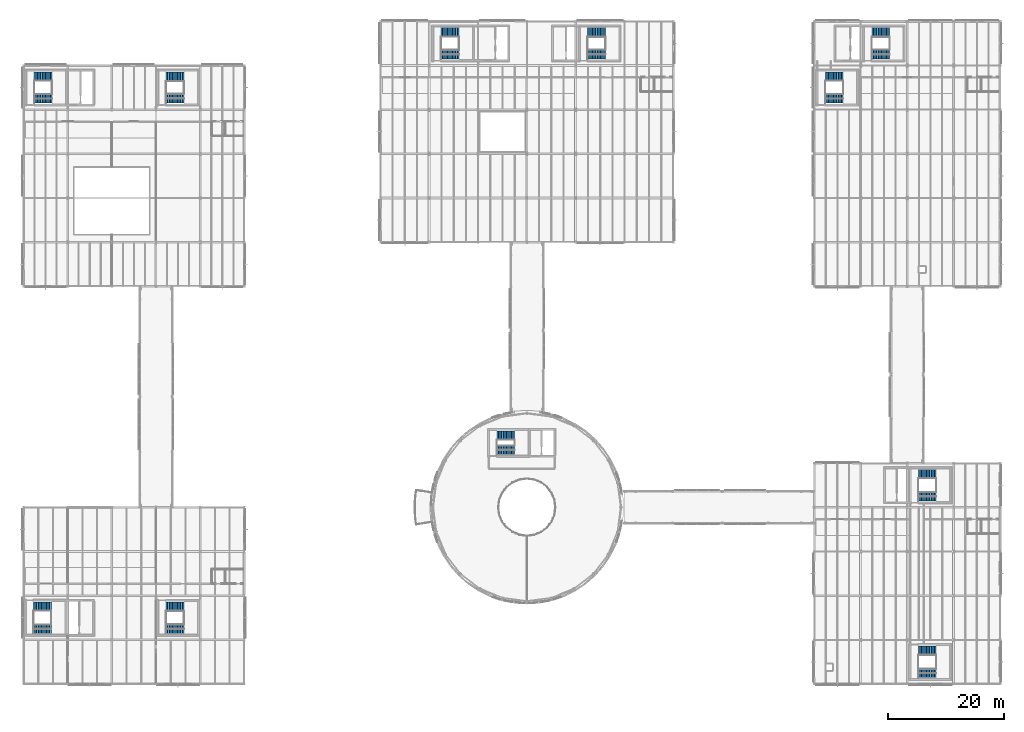
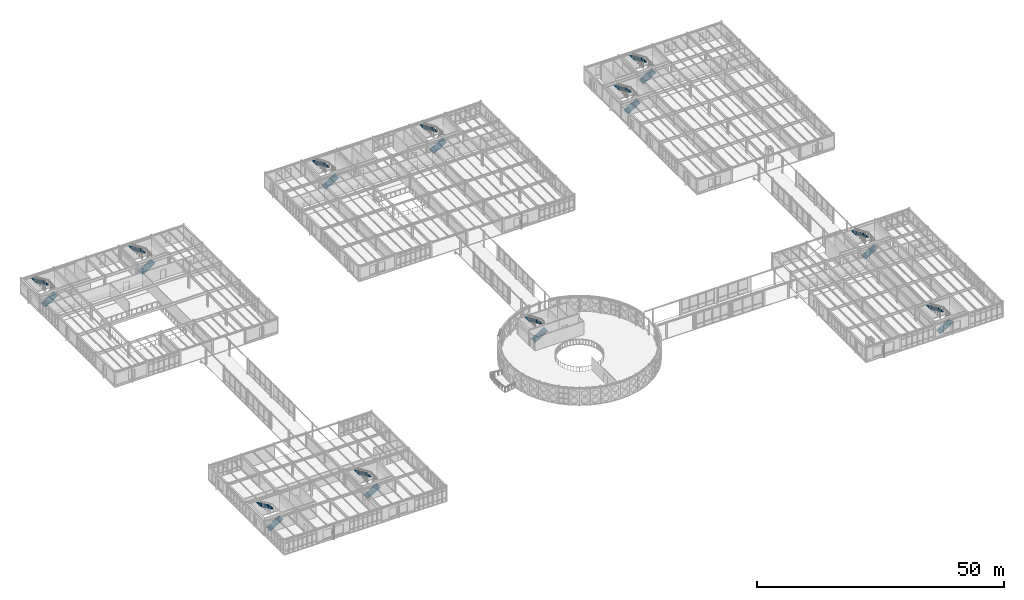
# One storey, part 145 of 165: 22 stair flights, 11 elements without a shape of their own.
"""IFC4 building model written with IfcOpenShell, lengths in metres."""

import ifcopenshell
import ifcopenshell.guid

model = None  # the IFC model being written
_history = None  # IfcOwnerHistory: only IFC2X3 demands one
_inside = {}  # id of a spatial element -> (the spatial element, [elements in it])
_under = {}  # id of a project, library or spatial element -> (it, [spatial elements below it])
_declared = {}  # id of a project -> (the project, [libraries it declares])
_typed = {}  # id of a type object -> (the type object, [elements of that type])
_made_of = {}  # id of a material, layer set ... -> (it, [elements and type objects made of it])


def new_model(schema):
    """Start an empty IFC model of exactly this schema.

    Asked for "IFC4X3", IfcOpenShell would pick the latest addendum, in which some entities
    have other attributes; the version numbers below select the first issue.
    IFC2X3 requires an IfcOwnerHistory on every rooted entity: one is made here for all.
    """
    global model, _history
    if schema == "IFC4X3":
        model = ifcopenshell.file(schema_version=(4, 3, 0, 0))
    else:
        model = ifcopenshell.file(schema=schema)
    _inside.clear()
    _under.clear()
    _declared.clear()
    _typed.clear()
    _made_of.clear()
    _history = None
    if model.schema == "IFC2X3":
        org = make("IfcOrganization", Name="unknown")
        user = make(
            "IfcPersonAndOrganization",
            ThePerson=make("IfcPerson", FamilyName="unknown"),
            TheOrganization=org,
        )
        app = make(
            "IfcApplication",
            ApplicationDeveloper=org,
            Version="unknown",
            ApplicationFullName="unknown",
            ApplicationIdentifier="unknown",
        )
        _history = make(
            "IfcOwnerHistory",
            OwningUser=user,
            OwningApplication=app,
            ChangeAction="ADDED",
            CreationDate=0,
        )
    return model


def make(cls, **values):
    """One entity of the class cls with the attributes given. An attribute that is None is left unset."""
    return model.create_entity(
        cls, **{name: value for name, value in values.items() if value is not None}
    )


def rooted(cls, **values):
    """An entity with a GlobalId (a new one), such as an element, a storey or a relation."""
    return make(cls, GlobalId=ifcopenshell.guid.new(), OwnerHistory=_history, **values)


def si_unit(unit_type, name, prefix=None):
    """IfcSIUnit, for example si_unit("LENGTHUNIT", "METRE", prefix="MILLI")."""
    return make("IfcSIUnit", UnitType=unit_type, Prefix=prefix, Name=name)


def assignment(units):
    """IfcUnitAssignment: the units of a project."""
    return None if units is None else make("IfcUnitAssignment", Units=units)


def point(xyz):
    """IfcCartesianPoint."""
    return None if xyz is None else make("IfcCartesianPoint", Coordinates=xyz)


def direction(xyz):
    """IfcDirection."""
    return None if xyz is None else make("IfcDirection", DirectionRatios=xyz)


def frame(location, z_axis=None, x_axis=None):
    """IfcAxis2Placement3D, a coordinate frame: its origin and axes. An axis left out is left unset."""
    return make(
        "IfcAxis2Placement3D",
        Location=point(location),
        Axis=direction(z_axis),
        RefDirection=direction(x_axis),
    )


def origin():
    """The frame at (0, 0, 0) with its axes left unset."""
    return frame((0.0, 0.0, 0.0))


def place(relative_to, where):
    """IfcLocalPlacement: puts the frame where relative to a parent placement (None: the world)."""
    return make(
        "IfcLocalPlacement", PlacementRelTo=relative_to, RelativePlacement=where
    )


def context(
    kind, dimensions, precision=None, world=None, true_north=None, identifier=None
):
    """IfcGeometricRepresentationContext, for example the 3D "Model" context."""
    return make(
        "IfcGeometricRepresentationContext",
        ContextIdentifier=identifier,
        ContextType=kind,
        CoordinateSpaceDimension=dimensions,
        Precision=precision,
        WorldCoordinateSystem=world,
        TrueNorth=true_north,
    )


def subcontext(parent, identifier, kind, view, scale=None):
    """IfcGeometricRepresentationSubContext, for example "Body" below "Model"."""
    return make(
        "IfcGeometricRepresentationSubContext",
        ContextIdentifier=identifier,
        ContextType=kind,
        ParentContext=parent,
        TargetScale=scale,
        TargetView=view,
    )


def project(units=None, contexts=None):
    """IfcProject with its units and contexts."""
    return rooted(
        "IfcProject",
        Name="project",
        RepresentationContexts=contexts,
        UnitsInContext=assignment(units),
    )


def spatial(cls, under=None, at=None, **own):
    """A site, building, storey or space (cls), placed at a placement, below another one or the project."""
    s = rooted(cls, ObjectPlacement=at, **own)
    if under is not None:
        _under.setdefault(under.id(), (under, []))[1].append(s)
    return s


def polyline(points):
    """IfcPolyline through the points."""
    return make("IfcPolyline", Points=[point(p) for p in points])


def outline(outer, holes=None, kind="AREA"):
    """IfcArbitraryClosedProfileDef: a profile drawn as a closed curve; with holes, ...WithVoids."""
    if holes is None:
        return make("IfcArbitraryClosedProfileDef", ProfileType=kind, OuterCurve=outer)
    return make(
        "IfcArbitraryProfileDefWithVoids",
        ProfileType=kind,
        OuterCurve=outer,
        InnerCurves=holes,
    )


def extrude(swept, where, along, depth):
    """IfcExtrudedAreaSolid: the profile swept, set in the frame where, extruded along a direction by depth."""
    return make(
        "IfcExtrudedAreaSolid",
        SweptArea=swept,
        Position=where,
        ExtrudedDirection=direction(along),
        Depth=depth,
    )


def shape(context_of_items, identifier, shape_type, items):
    """IfcShapeRepresentation: the items that make up one representation, for example the "Body"."""
    return make(
        "IfcShapeRepresentation",
        ContextOfItems=context_of_items,
        RepresentationIdentifier=identifier,
        RepresentationType=shape_type,
        Items=items,
    )


def material(Name=None, Category=None):
    """IfcMaterial."""
    return make("IfcMaterial", Name=Name, Category=Category)


def made_of(thing, what):
    """Note that an element or type object is made of a material, layer set ...; save() writes the relation."""
    if what is not None:
        _made_of.setdefault(what.id(), (what, []))[1].append(thing)
    return thing


def type_object(cls, material=None, **own):
    """A type object (cls), such as IfcWallType, which elements share."""
    return made_of(rooted(cls, **own), material)


def element(
    cls,
    number,
    at=None,
    inside=None,
    cuts=None,
    type_object=None,
    material=None,
    context=None,
    identifier="Body",
    shape_type=None,
    held_by="IfcProductDefinitionShape",
    body=None,
    shapes=None,
    **own,
):
    """One element of the class cls, such as IfcWall. Its Tag is "e" and its number.

    at: its placement. inside: the storey or other place that contains it. cuts: it is an
    opening in that element (IfcRelVoidsElement). A single representation is given by context,
    identifier, shape_type and body (its items); several are given by shapes. held_by: the class
    of the entity that holds the representations. save() writes the other relations.
    """
    e = rooted(cls, Tag="e%d" % number, ObjectPlacement=at, **own)
    if body is not None:
        shapes = [shape(context, identifier, shape_type, body)]
    if shapes is not None:
        e.Representation = make(held_by, Representations=shapes)
    if inside is not None:
        _inside.setdefault(inside.id(), (inside, []))[1].append(e)
    if cuts is not None:
        rooted(
            "IfcRelVoidsElement", RelatingBuildingElement=cuts, RelatedOpeningElement=e
        )
    if type_object is not None:
        _typed.setdefault(type_object.id(), (type_object, []))[1].append(e)
    return made_of(e, material)


def aggregate(whole, parts):
    """IfcRelAggregates: a whole, such as a stair, and the parts it consists of."""
    return rooted("IfcRelAggregates", RelatingObject=whole, RelatedObjects=parts)


def save(model, path):
    """Write the relations noted so far, then the file.

    IfcRelAggregates (storeys below a building ...), IfcRelContainedInSpatialStructure (elements
    in a storey), IfcRelDefinesByType, IfcRelAssociatesMaterial and IfcRelDeclares: one each for
    every whole, place, type object, material and project.
    """
    for whole, parts in _under.values():
        aggregate(whole, parts)
    for where, things in _inside.values():
        rooted(
            "IfcRelContainedInSpatialStructure",
            RelatedElements=things,
            RelatingStructure=where,
        )
    for kind, things in _typed.values():
        rooted("IfcRelDefinesByType", RelatedObjects=things, RelatingType=kind)
    for what, things in _made_of.values():
        rooted("IfcRelAssociatesMaterial", RelatedObjects=things, RelatingMaterial=what)
    for by, libraries in _declared.values():
        rooted("IfcRelDeclares", RelatingContext=by, RelatedDefinitions=libraries)
    model.write(path)


model = new_model("IFC4")

# Units and contexts
model_context = context("Model", 3, precision=1e-05, world=origin(), true_north=direction((0.0, 1.0)))
body_context = subcontext(model_context, "Body", "Model", "MODEL_VIEW")
ifc_project = project(units=[si_unit("LENGTHUNIT", "METRE"), si_unit("AREAUNIT", "SQUARE_METRE"), si_unit("VOLUMEUNIT", "CUBIC_METRE"), si_unit("PLANEANGLEUNIT", "RADIAN"), si_unit("MASSUNIT", "GRAM", prefix="KILO")], contexts=[model_context])

# Site, building, storey
site_placement = place(None, origin())
site = spatial("IfcSite", under=ifc_project, at=site_placement, CompositionType="ELEMENT")
building_placement = place(site_placement, origin())
building = spatial("IfcBuilding", under=site, at=building_placement, Name="Montecoro Central Library", CompositionType="ELEMENT")
storey_placement = place(building_placement, frame((0.0, 0.0, 5.10009765625)))
storey = spatial("IfcBuildingStorey", under=building, at=storey_placement, Name="L01", CompositionType="ELEMENT", Elevation=5.10009765625)

# Stair, stair flights
ifc_material = material(Name="Concrete C35/45", Category="concrete")
stair_type_1 = type_object("IfcStairType", Name="STR-RET-150", PredefinedType="HALF_TURN_STAIR", material=ifc_material)
stair_1_placement = place(storey_placement, origin())
stair_1 = element("IfcStair", 1, at=stair_1_placement, inside=storey, type_object=stair_type_1, Name="C1-L01-STR", PredefinedType="HALF_TURN_STAIR")
stair_flight_type_1 = type_object("IfcStairFlightType", Name="SFL-01", PredefinedType="STRAIGHT", material=ifc_material)
stair_flight_1_placement = place(storey_placement, frame((86.419921875, 45.25, 0.0), z_axis=(0.0, 0.0, 1.0), x_axis=(1.0, 0.0, 0.0)))
stair_flight_1 = element("IfcStairFlight", 2, at=stair_flight_1_placement, type_object=stair_flight_type_1, Name="ST-01 flight 1", NumberOfRisers=12, NumberOfTreads=11, PredefinedType="STRAIGHT", RiserHeight=0.17, TreadLength=0.28, context=body_context, shape_type="SweptSolid", body=[
    extrude(outline(polyline([(0.0, 0.0), (0.0, 0.169921875), (0.280029296875, 0.169921875), (0.280029296875, 0.340087890625), (0.56005859375, 0.340087890625), (0.56005859375, 0.510009765625), (0.840087890625, 0.510009765625), (0.840087890625, 0.679931640625), (1.1201171875, 0.679931640625), (1.1201171875, 0.85009765625), (1.39990234375, 0.85009765625), (1.39990234375, 1.02001953125), (1.679931640625, 1.02001953125), (1.679931640625, 1.18994140625), (1.9599609375, 1.18994140625), (1.9599609375, 1.360107421875), (2.239990234375, 1.360107421875), (2.239990234375, 1.530029296875), (2.52001953125, 1.530029296875), (2.52001953125, 1.699951171875), (2.800048828125, 1.699951171875), (2.800048828125, 1.8701171875), (3.080078125, 1.8701171875), (3.080078125, 2.0400390625), (3.080078125, 1.682861328125), (0.30810546875, 0.0), (0.0, 0.0)])), frame((0.0, 0.75, 0.0), z_axis=(0.0, -1.0, 0.0), x_axis=(1.0, 0.0, 0.0)), (0.0, 0.0, 1.0), 1.5),
])
stair_flight_2_placement = place(storey_placement, frame((89.5, 47.75, 2.039794921875), z_axis=(0.0, 0.0, 1.0), x_axis=(-1.0, 0.0, 0.0)))
stair_flight_2 = element("IfcStairFlight", 3, at=stair_flight_2_placement, type_object=stair_flight_type_1, Name="ST-01 flight 2", NumberOfRisers=12, NumberOfTreads=11, PredefinedType="STRAIGHT", RiserHeight=0.17, TreadLength=0.28, context=body_context, shape_type="SweptSolid", body=[
    extrude(outline(polyline([(0.0, 0.0), (0.0, 0.169921875), (0.280029296875, 0.169921875), (0.280029296875, 0.340087890625), (0.56005859375, 0.340087890625), (0.56005859375, 0.510009765625), (0.840087890625, 0.510009765625), (0.840087890625, 0.679931640625), (1.1201171875, 0.679931640625), (1.1201171875, 0.85009765625), (1.39990234375, 0.85009765625), (1.39990234375, 1.02001953125), (1.679931640625, 1.02001953125), (1.679931640625, 1.18994140625), (1.9599609375, 1.18994140625), (1.9599609375, 1.360107421875), (2.239990234375, 1.360107421875), (2.239990234375, 1.530029296875), (2.52001953125, 1.530029296875), (2.52001953125, 1.699951171875), (2.800048828125, 1.699951171875), (2.800048828125, 1.8701171875), (3.080078125, 1.8701171875), (3.080078125, 2.0400390625), (3.080078125, 1.682861328125), (0.30810546875, 0.0), (0.0, 0.0)])), frame((0.0, 0.75, 0.0), z_axis=(0.0, -1.0, 0.0), x_axis=(1.0, 0.0, 0.0)), (0.0, 0.0, 1.0), 1.5),
])
aggregate(stair_1, [stair_flight_1, stair_flight_2])

stair_2_placement = place(storey_placement, origin())
stair_2 = element("IfcStair", 4, at=stair_2_placement, inside=storey, type_object=stair_type_1, Name="C4-L01-STR", PredefinedType="HALF_TURN_STAIR")
stair_flight_3_placement = place(storey_placement, frame((6.719970703125, 14.449951171875, 0.0), z_axis=(0.0, 0.0, 1.0), x_axis=(1.0, 0.0, 0.0)))
stair_flight_3 = element("IfcStairFlight", 5, at=stair_flight_3_placement, type_object=stair_flight_type_1, Name="ST-04 flight 1", NumberOfRisers=12, NumberOfTreads=11, PredefinedType="STRAIGHT", RiserHeight=0.17, TreadLength=0.28, context=body_context, shape_type="SweptSolid", body=[
    extrude(outline(polyline([(0.0, 0.0), (0.0, 0.169921875), (0.280029296875, 0.169921875), (0.280029296875, 0.340087890625), (0.56005859375, 0.340087890625), (0.56005859375, 0.510009765625), (0.840087890625, 0.510009765625), (0.840087890625, 0.679931640625), (1.1201171875, 0.679931640625), (1.1201171875, 0.85009765625), (1.39990234375, 0.85009765625), (1.39990234375, 1.02001953125), (1.679931640625, 1.02001953125), (1.679931640625, 1.18994140625), (1.9599609375, 1.18994140625), (1.9599609375, 1.360107421875), (2.239990234375, 1.360107421875), (2.239990234375, 1.530029296875), (2.52001953125, 1.530029296875), (2.52001953125, 1.699951171875), (2.800048828125, 1.699951171875), (2.800048828125, 1.8701171875), (3.080078125, 1.8701171875), (3.080078125, 2.0400390625), (3.080078125, 1.682861328125), (0.30810546875, 0.0), (0.0, 0.0)])), frame((0.0, 0.75, 0.0), z_axis=(0.0, -1.0, 0.0), x_axis=(1.0, 0.0, 0.0)), (0.0, 0.0, 1.0), 1.5),
])
stair_flight_4_placement = place(storey_placement, frame((9.800048828125, 18.35009765625, 2.039794921875), z_axis=(0.0, 0.0, 1.0), x_axis=(-1.0, 0.0, 0.0)))
stair_flight_4 = element("IfcStairFlight", 6, at=stair_flight_4_placement, type_object=stair_flight_type_1, Name="ST-04 flight 2", NumberOfRisers=12, NumberOfTreads=11, PredefinedType="STRAIGHT", RiserHeight=0.17, TreadLength=0.28, context=body_context, shape_type="SweptSolid", body=[
    extrude(outline(polyline([(0.0, 0.0), (0.0, 0.169921875), (0.280029296875, 0.169921875), (0.280029296875, 0.340087890625), (0.56005859375, 0.340087890625), (0.56005859375, 0.510009765625), (0.840087890625, 0.510009765625), (0.840087890625, 0.679931640625), (1.1201171875, 0.679931640625), (1.1201171875, 0.85009765625), (1.39990234375, 0.85009765625), (1.39990234375, 1.02001953125), (1.679931640625, 1.02001953125), (1.679931640625, 1.18994140625), (1.9599609375, 1.18994140625), (1.9599609375, 1.360107421875), (2.239990234375, 1.360107421875), (2.239990234375, 1.530029296875), (2.52001953125, 1.530029296875), (2.52001953125, 1.699951171875), (2.800048828125, 1.699951171875), (2.800048828125, 1.8701171875), (3.080078125, 1.8701171875), (3.080078125, 2.0400390625), (3.080078125, 1.682861328125), (0.30810546875, 0.0), (0.0, 0.0)])), frame((0.0, 0.75, 0.0), z_axis=(0.0, -1.0, 0.0), x_axis=(1.0, 0.0, 0.0)), (0.0, 0.0, 1.0), 1.5),
])
aggregate(stair_2, [stair_flight_3, stair_flight_4])

stair_3_placement = place(storey_placement, origin())
stair_3 = element("IfcStair", 7, at=stair_3_placement, inside=storey, type_object=stair_type_1, Name="C7-L01-STR", PredefinedType="HALF_TURN_STAIR")
stair_flight_5_placement = place(storey_placement, frame((158.919921875, 37.25, 0.0), z_axis=(0.0, 0.0, 1.0), x_axis=(1.0, 0.0, 0.0)))
stair_flight_5 = element("IfcStairFlight", 8, at=stair_flight_5_placement, type_object=stair_flight_type_1, Name="ST-07 flight 1", NumberOfRisers=12, NumberOfTreads=11, PredefinedType="STRAIGHT", RiserHeight=0.17, TreadLength=0.28, context=body_context, shape_type="SweptSolid", body=[
    extrude(outline(polyline([(0.0, 0.0), (0.0, 0.169921875), (0.280029296875, 0.169921875), (0.280029296875, 0.340087890625), (0.56005859375, 0.340087890625), (0.56005859375, 0.510009765625), (0.840087890625, 0.510009765625), (0.840087890625, 0.679931640625), (1.1201171875, 0.679931640625), (1.1201171875, 0.85009765625), (1.39990234375, 0.85009765625), (1.39990234375, 1.02001953125), (1.679931640625, 1.02001953125), (1.679931640625, 1.18994140625), (1.9599609375, 1.18994140625), (1.9599609375, 1.360107421875), (2.239990234375, 1.360107421875), (2.239990234375, 1.530029296875), (2.52001953125, 1.530029296875), (2.52001953125, 1.699951171875), (2.800048828125, 1.699951171875), (2.800048828125, 1.8701171875), (3.080078125, 1.8701171875), (3.080078125, 2.0400390625), (3.080078125, 1.682861328125), (0.30810546875, 0.0), (0.0, 0.0)])), frame((0.0, 0.75, 0.0), z_axis=(0.0, -1.0, 0.0), x_axis=(1.0, 0.0, 0.0)), (0.0, 0.0, 1.0), 1.5),
])
stair_flight_6_placement = place(storey_placement, frame((162.0, 41.14990234375, 2.039794921875), z_axis=(0.0, 0.0, 1.0), x_axis=(-1.0, 0.0, 0.0)))
stair_flight_6 = element("IfcStairFlight", 9, at=stair_flight_6_placement, type_object=stair_flight_type_1, Name="ST-07 flight 2", NumberOfRisers=12, NumberOfTreads=11, PredefinedType="STRAIGHT", RiserHeight=0.17, TreadLength=0.28, context=body_context, shape_type="SweptSolid", body=[
    extrude(outline(polyline([(0.0, 0.0), (0.0, 0.169921875), (0.280029296875, 0.169921875), (0.280029296875, 0.340087890625), (0.56005859375, 0.340087890625), (0.56005859375, 0.510009765625), (0.840087890625, 0.510009765625), (0.840087890625, 0.679931640625), (1.1201171875, 0.679931640625), (1.1201171875, 0.85009765625), (1.39990234375, 0.85009765625), (1.39990234375, 1.02001953125), (1.679931640625, 1.02001953125), (1.679931640625, 1.18994140625), (1.9599609375, 1.18994140625), (1.9599609375, 1.360107421875), (2.239990234375, 1.360107421875), (2.239990234375, 1.530029296875), (2.52001953125, 1.530029296875), (2.52001953125, 1.699951171875), (2.800048828125, 1.699951171875), (2.800048828125, 1.8701171875), (3.080078125, 1.8701171875), (3.080078125, 2.0400390625), (3.080078125, 1.682861328125), (0.30810546875, 0.0), (0.0, 0.0)])), frame((0.0, 0.75, 0.0), z_axis=(0.0, -1.0, 0.0), x_axis=(1.0, 0.0, 0.0)), (0.0, 0.0, 1.0), 1.5),
])
aggregate(stair_3, [stair_flight_5, stair_flight_6])

stair_4_placement = place(storey_placement, origin())
stair_4 = element("IfcStair", 10, at=stair_4_placement, inside=storey, type_object=stair_type_1, Name="C10-L01-STR", PredefinedType="HALF_TURN_STAIR")
stair_flight_7_placement = place(storey_placement, frame((158.919921875, 6.85009765625, 0.0), z_axis=(0.0, 0.0, 1.0), x_axis=(1.0, 0.0, 0.0)))
stair_flight_7 = element("IfcStairFlight", 11, at=stair_flight_7_placement, type_object=stair_flight_type_1, Name="ST-10 flight 1", NumberOfRisers=12, NumberOfTreads=11, PredefinedType="STRAIGHT", RiserHeight=0.17, TreadLength=0.28, context=body_context, shape_type="SweptSolid", body=[
    extrude(outline(polyline([(0.0, 0.0), (0.0, 0.169921875), (0.280029296875, 0.169921875), (0.280029296875, 0.340087890625), (0.56005859375, 0.340087890625), (0.56005859375, 0.510009765625), (0.840087890625, 0.510009765625), (0.840087890625, 0.679931640625), (1.1201171875, 0.679931640625), (1.1201171875, 0.85009765625), (1.39990234375, 0.85009765625), (1.39990234375, 1.02001953125), (1.679931640625, 1.02001953125), (1.679931640625, 1.18994140625), (1.9599609375, 1.18994140625), (1.9599609375, 1.360107421875), (2.239990234375, 1.360107421875), (2.239990234375, 1.530029296875), (2.52001953125, 1.530029296875), (2.52001953125, 1.699951171875), (2.800048828125, 1.699951171875), (2.800048828125, 1.8701171875), (3.080078125, 1.8701171875), (3.080078125, 2.0400390625), (3.080078125, 1.682861328125), (0.30810546875, 0.0), (0.0, 0.0)])), frame((0.0, 0.75, 0.0), z_axis=(0.0, -1.0, 0.0), x_axis=(1.0, 0.0, 0.0)), (0.0, 0.0, 1.0), 1.5),
])
stair_flight_8_placement = place(storey_placement, frame((162.0, 10.75, 2.039794921875), z_axis=(0.0, 0.0, 1.0), x_axis=(-1.0, 0.0, 0.0)))
stair_flight_8 = element("IfcStairFlight", 12, at=stair_flight_8_placement, type_object=stair_flight_type_1, Name="ST-10 flight 2", NumberOfRisers=12, NumberOfTreads=11, PredefinedType="STRAIGHT", RiserHeight=0.17, TreadLength=0.28, context=body_context, shape_type="SweptSolid", body=[
    extrude(outline(polyline([(0.0, 0.0), (0.0, 0.169921875), (0.280029296875, 0.169921875), (0.280029296875, 0.340087890625), (0.56005859375, 0.340087890625), (0.56005859375, 0.510009765625), (0.840087890625, 0.510009765625), (0.840087890625, 0.679931640625), (1.1201171875, 0.679931640625), (1.1201171875, 0.85009765625), (1.39990234375, 0.85009765625), (1.39990234375, 1.02001953125), (1.679931640625, 1.02001953125), (1.679931640625, 1.18994140625), (1.9599609375, 1.18994140625), (1.9599609375, 1.360107421875), (2.239990234375, 1.360107421875), (2.239990234375, 1.530029296875), (2.52001953125, 1.530029296875), (2.52001953125, 1.699951171875), (2.800048828125, 1.699951171875), (2.800048828125, 1.8701171875), (3.080078125, 1.8701171875), (3.080078125, 2.0400390625), (3.080078125, 1.682861328125), (0.30810546875, 0.0), (0.0, 0.0)])), frame((0.0, 0.75, 0.0), z_axis=(0.0, -1.0, 0.0), x_axis=(1.0, 0.0, 0.0)), (0.0, 0.0, 1.0), 1.5),
])
aggregate(stair_4, [stair_flight_7, stair_flight_8])

stair_type_2 = type_object("IfcStairType", Name="STR-RET-155", PredefinedType="HALF_TURN_STAIR", material=ifc_material)
stair_5_placement = place(storey_placement, origin())
stair_5 = element("IfcStair", 13, at=stair_5_placement, inside=storey, type_object=stair_type_2, Name="C2-L01-STR", PredefinedType="HALF_TURN_STAIR")
stair_flight_type_2 = type_object("IfcStairFlightType", Name="SFL-02", PredefinedType="STRAIGHT", material=ifc_material)
stair_flight_9_placement = place(storey_placement, frame((76.820068359375, 113.27490234375, 0.0), z_axis=(0.0, 0.0, 1.0), x_axis=(1.0, 0.0, 0.0)))
stair_flight_9 = element("IfcStairFlight", 14, at=stair_flight_9_placement, type_object=stair_flight_type_2, Name="ST-02 flight 1", NumberOfRisers=12, NumberOfTreads=11, PredefinedType="STRAIGHT", RiserHeight=0.17, TreadLength=0.28, context=body_context, shape_type="SweptSolid", body=[
    extrude(outline(polyline([(0.0, 0.0), (0.0, 0.169921875), (0.280029296875, 0.169921875), (0.280029296875, 0.340087890625), (0.56005859375, 0.340087890625), (0.56005859375, 0.510009765625), (0.840087890625, 0.510009765625), (0.840087890625, 0.679931640625), (1.1201171875, 0.679931640625), (1.1201171875, 0.85009765625), (1.39990234375, 0.85009765625), (1.39990234375, 1.02001953125), (1.679931640625, 1.02001953125), (1.679931640625, 1.18994140625), (1.9599609375, 1.18994140625), (1.9599609375, 1.360107421875), (2.239990234375, 1.360107421875), (2.239990234375, 1.530029296875), (2.52001953125, 1.530029296875), (2.52001953125, 1.699951171875), (2.800048828125, 1.699951171875), (2.800048828125, 1.8701171875), (3.080078125, 1.8701171875), (3.080078125, 2.0400390625), (3.080078125, 1.682861328125), (0.30810546875, 0.0), (0.0, 0.0)])), frame((0.0, 0.77490234375, 0.0), z_axis=(0.0, -1.0, 0.0), x_axis=(1.0, 0.0, 0.0)), (0.0, 0.0, 1.0), 1.550048828125),
])
stair_flight_10_placement = place(storey_placement, frame((79.89990234375, 117.125, 2.039794921875), z_axis=(0.0, 0.0, 1.0), x_axis=(-1.0, 0.0, 0.0)))
stair_flight_10 = element("IfcStairFlight", 15, at=stair_flight_10_placement, type_object=stair_flight_type_2, Name="ST-02 flight 2", NumberOfRisers=12, NumberOfTreads=11, PredefinedType="STRAIGHT", RiserHeight=0.17, TreadLength=0.28, context=body_context, shape_type="SweptSolid", body=[
    extrude(outline(polyline([(0.0, 0.0), (0.0, 0.169921875), (0.280029296875, 0.169921875), (0.280029296875, 0.340087890625), (0.56005859375, 0.340087890625), (0.56005859375, 0.510009765625), (0.840087890625, 0.510009765625), (0.840087890625, 0.679931640625), (1.1201171875, 0.679931640625), (1.1201171875, 0.85009765625), (1.39990234375, 0.85009765625), (1.39990234375, 1.02001953125), (1.679931640625, 1.02001953125), (1.679931640625, 1.18994140625), (1.9599609375, 1.18994140625), (1.9599609375, 1.360107421875), (2.239990234375, 1.360107421875), (2.239990234375, 1.530029296875), (2.52001953125, 1.530029296875), (2.52001953125, 1.699951171875), (2.800048828125, 1.699951171875), (2.800048828125, 1.8701171875), (3.080078125, 1.8701171875), (3.080078125, 2.0400390625), (3.080078125, 1.682861328125), (0.30810546875, 0.0), (0.0, 0.0)])), frame((0.0, 0.77490234375, 0.0), z_axis=(0.0, -1.0, 0.0), x_axis=(1.0, 0.0, 0.0)), (0.0, 0.0, 1.0), 1.550048828125),
])
aggregate(stair_5, [stair_flight_9, stair_flight_10])

stair_6_placement = place(storey_placement, origin())
stair_6 = element("IfcStair", 16, at=stair_6_placement, inside=storey, type_object=stair_type_2, Name="C5-L01-STR", PredefinedType="HALF_TURN_STAIR")
stair_flight_11_placement = place(storey_placement, frame((6.840087890625, 105.675048828125, 0.0), z_axis=(0.0, 0.0, 1.0), x_axis=(1.0, 0.0, 0.0)))
stair_flight_11 = element("IfcStairFlight", 17, at=stair_flight_11_placement, type_object=stair_flight_type_2, Name="ST-05 flight 1", NumberOfRisers=12, NumberOfTreads=11, PredefinedType="STRAIGHT", RiserHeight=0.17, TreadLength=0.28, context=body_context, shape_type="SweptSolid", body=[
    extrude(outline(polyline([(0.0, 0.0), (0.0, 0.169921875), (0.280029296875, 0.169921875), (0.280029296875, 0.340087890625), (0.56005859375, 0.340087890625), (0.56005859375, 0.510009765625), (0.840087890625, 0.510009765625), (0.840087890625, 0.679931640625), (1.1201171875, 0.679931640625), (1.1201171875, 0.85009765625), (1.39990234375, 0.85009765625), (1.39990234375, 1.02001953125), (1.679931640625, 1.02001953125), (1.679931640625, 1.18994140625), (1.9599609375, 1.18994140625), (1.9599609375, 1.360107421875), (2.239990234375, 1.360107421875), (2.239990234375, 1.530029296875), (2.52001953125, 1.530029296875), (2.52001953125, 1.699951171875), (2.800048828125, 1.699951171875), (2.800048828125, 1.8701171875), (3.080078125, 1.8701171875), (3.080078125, 2.0400390625), (3.080078125, 1.682861328125), (0.30810546875, 0.0), (0.0, 0.0)])), frame((0.0, 0.77490234375, 0.0), z_axis=(0.0, -1.0, 0.0), x_axis=(1.0, 0.0, 0.0)), (0.0, 0.0, 1.0), 1.550048828125),
])
stair_flight_12_placement = place(storey_placement, frame((9.919921875, 109.52490234375, 2.039794921875), z_axis=(0.0, 0.0, 1.0), x_axis=(-1.0, 0.0, 0.0)))
stair_flight_12 = element("IfcStairFlight", 18, at=stair_flight_12_placement, type_object=stair_flight_type_2, Name="ST-05 flight 2", NumberOfRisers=12, NumberOfTreads=11, PredefinedType="STRAIGHT", RiserHeight=0.17, TreadLength=0.28, context=body_context, shape_type="SweptSolid", body=[
    extrude(outline(polyline([(0.0, 0.0), (0.0, 0.169921875), (0.280029296875, 0.169921875), (0.280029296875, 0.340087890625), (0.56005859375, 0.340087890625), (0.56005859375, 0.510009765625), (0.840087890625, 0.510009765625), (0.840087890625, 0.679931640625), (1.1201171875, 0.679931640625), (1.1201171875, 0.85009765625), (1.39990234375, 0.85009765625), (1.39990234375, 1.02001953125), (1.679931640625, 1.02001953125), (1.679931640625, 1.18994140625), (1.9599609375, 1.18994140625), (1.9599609375, 1.360107421875), (2.239990234375, 1.360107421875), (2.239990234375, 1.530029296875), (2.52001953125, 1.530029296875), (2.52001953125, 1.699951171875), (2.800048828125, 1.699951171875), (2.800048828125, 1.8701171875), (3.080078125, 1.8701171875), (3.080078125, 2.0400390625), (3.080078125, 1.682861328125), (0.30810546875, 0.0), (0.0, 0.0)])), frame((0.0, 0.77490234375, 0.0), z_axis=(0.0, -1.0, 0.0), x_axis=(1.0, 0.0, 0.0)), (0.0, 0.0, 1.0), 1.550048828125),
])
aggregate(stair_6, [stair_flight_11, stair_flight_12])

stair_7_placement = place(storey_placement, origin())
stair_7 = element("IfcStair", 19, at=stair_7_placement, inside=storey, type_object=stair_type_2, Name="C8-L01-STR", PredefinedType="HALF_TURN_STAIR")
stair_flight_13_placement = place(storey_placement, frame((142.919921875, 105.675048828125, 0.0), z_axis=(0.0, 0.0, 1.0), x_axis=(1.0, 0.0, 0.0)))
stair_flight_13 = element("IfcStairFlight", 20, at=stair_flight_13_placement, type_object=stair_flight_type_2, Name="ST-08 flight 1", NumberOfRisers=12, NumberOfTreads=11, PredefinedType="STRAIGHT", RiserHeight=0.17, TreadLength=0.28, context=body_context, shape_type="SweptSolid", body=[
    extrude(outline(polyline([(0.0, 0.0), (0.0, 0.169921875), (0.280029296875, 0.169921875), (0.280029296875, 0.340087890625), (0.56005859375, 0.340087890625), (0.56005859375, 0.510009765625), (0.840087890625, 0.510009765625), (0.840087890625, 0.679931640625), (1.1201171875, 0.679931640625), (1.1201171875, 0.85009765625), (1.39990234375, 0.85009765625), (1.39990234375, 1.02001953125), (1.679931640625, 1.02001953125), (1.679931640625, 1.18994140625), (1.9599609375, 1.18994140625), (1.9599609375, 1.360107421875), (2.239990234375, 1.360107421875), (2.239990234375, 1.530029296875), (2.52001953125, 1.530029296875), (2.52001953125, 1.699951171875), (2.800048828125, 1.699951171875), (2.800048828125, 1.8701171875), (3.080078125, 1.8701171875), (3.080078125, 2.0400390625), (3.080078125, 1.682861328125), (0.30810546875, 0.0), (0.0, 0.0)])), frame((0.0, 0.77490234375, 0.0), z_axis=(0.0, -1.0, 0.0), x_axis=(1.0, 0.0, 0.0)), (0.0, 0.0, 1.0), 1.550048828125),
])
stair_flight_14_placement = place(storey_placement, frame((146.0, 109.52490234375, 2.039794921875), z_axis=(0.0, 0.0, 1.0), x_axis=(-1.0, 0.0, 0.0)))
stair_flight_14 = element("IfcStairFlight", 21, at=stair_flight_14_placement, type_object=stair_flight_type_2, Name="ST-08 flight 2", NumberOfRisers=12, NumberOfTreads=11, PredefinedType="STRAIGHT", RiserHeight=0.17, TreadLength=0.28, context=body_context, shape_type="SweptSolid", body=[
    extrude(outline(polyline([(0.0, 0.0), (0.0, 0.169921875), (0.280029296875, 0.169921875), (0.280029296875, 0.340087890625), (0.56005859375, 0.340087890625), (0.56005859375, 0.510009765625), (0.840087890625, 0.510009765625), (0.840087890625, 0.679931640625), (1.1201171875, 0.679931640625), (1.1201171875, 0.85009765625), (1.39990234375, 0.85009765625), (1.39990234375, 1.02001953125), (1.679931640625, 1.02001953125), (1.679931640625, 1.18994140625), (1.9599609375, 1.18994140625), (1.9599609375, 1.360107421875), (2.239990234375, 1.360107421875), (2.239990234375, 1.530029296875), (2.52001953125, 1.530029296875), (2.52001953125, 1.699951171875), (2.800048828125, 1.699951171875), (2.800048828125, 1.8701171875), (3.080078125, 1.8701171875), (3.080078125, 2.0400390625), (3.080078125, 1.682861328125), (0.30810546875, 0.0), (0.0, 0.0)])), frame((0.0, 0.77490234375, 0.0), z_axis=(0.0, -1.0, 0.0), x_axis=(1.0, 0.0, 0.0)), (0.0, 0.0, 1.0), 1.550048828125),
])
aggregate(stair_7, [stair_flight_13, stair_flight_14])

stair_8_placement = place(storey_placement, origin())
stair_8 = element("IfcStair", 22, at=stair_8_placement, inside=storey, type_object=stair_type_2, Name="C11-L01-STR", PredefinedType="HALF_TURN_STAIR")
stair_flight_15_placement = place(storey_placement, frame((29.52001953125, 14.47509765625, 0.0), z_axis=(0.0, 0.0, 1.0), x_axis=(1.0, 0.0, 0.0)))
stair_flight_15 = element("IfcStairFlight", 23, at=stair_flight_15_placement, type_object=stair_flight_type_2, Name="ST-11 flight 1", NumberOfRisers=12, NumberOfTreads=11, PredefinedType="STRAIGHT", RiserHeight=0.17, TreadLength=0.28, context=body_context, shape_type="SweptSolid", body=[
    extrude(outline(polyline([(0.0, 0.0), (0.0, 0.169921875), (0.280029296875, 0.169921875), (0.280029296875, 0.340087890625), (0.56005859375, 0.340087890625), (0.56005859375, 0.510009765625), (0.840087890625, 0.510009765625), (0.840087890625, 0.679931640625), (1.1201171875, 0.679931640625), (1.1201171875, 0.85009765625), (1.39990234375, 0.85009765625), (1.39990234375, 1.02001953125), (1.679931640625, 1.02001953125), (1.679931640625, 1.18994140625), (1.9599609375, 1.18994140625), (1.9599609375, 1.360107421875), (2.239990234375, 1.360107421875), (2.239990234375, 1.530029296875), (2.52001953125, 1.530029296875), (2.52001953125, 1.699951171875), (2.800048828125, 1.699951171875), (2.800048828125, 1.8701171875), (3.080078125, 1.8701171875), (3.080078125, 2.0400390625), (3.080078125, 1.682861328125), (0.30810546875, 0.0), (0.0, 0.0)])), frame((0.0, 0.77490234375, 0.0), z_axis=(0.0, -1.0, 0.0), x_axis=(1.0, 0.0, 0.0)), (0.0, 0.0, 1.0), 1.550048828125),
])
stair_flight_16_placement = place(storey_placement, frame((32.60009765625, 18.324951171875, 2.039794921875), z_axis=(0.0, 0.0, 1.0), x_axis=(-1.0, 0.0, 0.0)))
stair_flight_16 = element("IfcStairFlight", 24, at=stair_flight_16_placement, type_object=stair_flight_type_2, Name="ST-11 flight 2", NumberOfRisers=12, NumberOfTreads=11, PredefinedType="STRAIGHT", RiserHeight=0.17, TreadLength=0.28, context=body_context, shape_type="SweptSolid", body=[
    extrude(outline(polyline([(0.0, 0.0), (0.0, 0.169921875), (0.280029296875, 0.169921875), (0.280029296875, 0.340087890625), (0.56005859375, 0.340087890625), (0.56005859375, 0.510009765625), (0.840087890625, 0.510009765625), (0.840087890625, 0.679931640625), (1.1201171875, 0.679931640625), (1.1201171875, 0.85009765625), (1.39990234375, 0.85009765625), (1.39990234375, 1.02001953125), (1.679931640625, 1.02001953125), (1.679931640625, 1.18994140625), (1.9599609375, 1.18994140625), (1.9599609375, 1.360107421875), (2.239990234375, 1.360107421875), (2.239990234375, 1.530029296875), (2.52001953125, 1.530029296875), (2.52001953125, 1.699951171875), (2.800048828125, 1.699951171875), (2.800048828125, 1.8701171875), (3.080078125, 1.8701171875), (3.080078125, 2.0400390625), (3.080078125, 1.682861328125), (0.30810546875, 0.0), (0.0, 0.0)])), frame((0.0, 0.77490234375, 0.0), z_axis=(0.0, -1.0, 0.0), x_axis=(1.0, 0.0, 0.0)), (0.0, 0.0, 1.0), 1.550048828125),
])
aggregate(stair_8, [stair_flight_15, stair_flight_16])

stair_type_3 = type_object("IfcStairType", Name="STR-RET-160", PredefinedType="HALF_TURN_STAIR", material=ifc_material)
stair_9_placement = place(storey_placement, origin())
stair_9 = element("IfcStair", 25, at=stair_9_placement, inside=storey, type_object=stair_type_3, Name="C3-L01-STR", PredefinedType="HALF_TURN_STAIR")
stair_flight_type_3 = type_object("IfcStairFlightType", Name="SFL-03", PredefinedType="STRAIGHT", material=ifc_material)
stair_flight_17_placement = place(storey_placement, frame((102.02001953125, 113.300048828125, 0.0), z_axis=(0.0, 0.0, 1.0), x_axis=(1.0, 0.0, 0.0)))
stair_flight_17 = element("IfcStairFlight", 26, at=stair_flight_17_placement, type_object=stair_flight_type_3, Name="ST-03 flight 1", NumberOfRisers=12, NumberOfTreads=11, PredefinedType="STRAIGHT", RiserHeight=0.17, TreadLength=0.28, context=body_context, shape_type="SweptSolid", body=[
    extrude(outline(polyline([(0.0, 0.0), (0.0, 0.169921875), (0.280029296875, 0.169921875), (0.280029296875, 0.340087890625), (0.56005859375, 0.340087890625), (0.56005859375, 0.510009765625), (0.840087890625, 0.510009765625), (0.840087890625, 0.679931640625), (1.1201171875, 0.679931640625), (1.1201171875, 0.85009765625), (1.39990234375, 0.85009765625), (1.39990234375, 1.02001953125), (1.679931640625, 1.02001953125), (1.679931640625, 1.18994140625), (1.9599609375, 1.18994140625), (1.9599609375, 1.360107421875), (2.239990234375, 1.360107421875), (2.239990234375, 1.530029296875), (2.52001953125, 1.530029296875), (2.52001953125, 1.699951171875), (2.800048828125, 1.699951171875), (2.800048828125, 1.8701171875), (3.080078125, 1.8701171875), (3.080078125, 2.0400390625), (3.080078125, 1.682861328125), (0.30810546875, 0.0), (0.0, 0.0)])), frame((0.0, 0.800048828125, 0.0), z_axis=(0.0, -1.0, 0.0), x_axis=(1.0, 0.0, 0.0)), (0.0, 0.0, 1.0), 1.60009765625),
])
stair_flight_18_placement = place(storey_placement, frame((105.10009765625, 117.10009765625, 2.039794921875), z_axis=(0.0, 0.0, 1.0), x_axis=(-1.0, 0.0, 0.0)))
stair_flight_18 = element("IfcStairFlight", 27, at=stair_flight_18_placement, type_object=stair_flight_type_3, Name="ST-03 flight 2", NumberOfRisers=12, NumberOfTreads=11, PredefinedType="STRAIGHT", RiserHeight=0.17, TreadLength=0.28, context=body_context, shape_type="SweptSolid", body=[
    extrude(outline(polyline([(0.0, 0.0), (0.0, 0.169921875), (0.280029296875, 0.169921875), (0.280029296875, 0.340087890625), (0.56005859375, 0.340087890625), (0.56005859375, 0.510009765625), (0.840087890625, 0.510009765625), (0.840087890625, 0.679931640625), (1.1201171875, 0.679931640625), (1.1201171875, 0.85009765625), (1.39990234375, 0.85009765625), (1.39990234375, 1.02001953125), (1.679931640625, 1.02001953125), (1.679931640625, 1.18994140625), (1.9599609375, 1.18994140625), (1.9599609375, 1.360107421875), (2.239990234375, 1.360107421875), (2.239990234375, 1.530029296875), (2.52001953125, 1.530029296875), (2.52001953125, 1.699951171875), (2.800048828125, 1.699951171875), (2.800048828125, 1.8701171875), (3.080078125, 1.8701171875), (3.080078125, 2.0400390625), (3.080078125, 1.682861328125), (0.30810546875, 0.0), (0.0, 0.0)])), frame((0.0, 0.800048828125, 0.0), z_axis=(0.0, -1.0, 0.0), x_axis=(1.0, 0.0, 0.0)), (0.0, 0.0, 1.0), 1.60009765625),
])
aggregate(stair_9, [stair_flight_17, stair_flight_18])

stair_10_placement = place(storey_placement, origin())
stair_10 = element("IfcStair", 28, at=stair_10_placement, inside=storey, type_object=stair_type_3, Name="C6-L01-STR", PredefinedType="HALF_TURN_STAIR")
stair_flight_19_placement = place(storey_placement, frame((150.919921875, 113.300048828125, 0.0), z_axis=(0.0, 0.0, 1.0), x_axis=(1.0, 0.0, 0.0)))
stair_flight_19 = element("IfcStairFlight", 29, at=stair_flight_19_placement, type_object=stair_flight_type_3, Name="ST-06 flight 1", NumberOfRisers=12, NumberOfTreads=11, PredefinedType="STRAIGHT", RiserHeight=0.17, TreadLength=0.28, context=body_context, shape_type="SweptSolid", body=[
    extrude(outline(polyline([(0.0, 0.0), (0.0, 0.169921875), (0.280029296875, 0.169921875), (0.280029296875, 0.340087890625), (0.56005859375, 0.340087890625), (0.56005859375, 0.510009765625), (0.840087890625, 0.510009765625), (0.840087890625, 0.679931640625), (1.1201171875, 0.679931640625), (1.1201171875, 0.85009765625), (1.39990234375, 0.85009765625), (1.39990234375, 1.02001953125), (1.679931640625, 1.02001953125), (1.679931640625, 1.18994140625), (1.9599609375, 1.18994140625), (1.9599609375, 1.360107421875), (2.239990234375, 1.360107421875), (2.239990234375, 1.530029296875), (2.52001953125, 1.530029296875), (2.52001953125, 1.699951171875), (2.800048828125, 1.699951171875), (2.800048828125, 1.8701171875), (3.080078125, 1.8701171875), (3.080078125, 2.0400390625), (3.080078125, 1.682861328125), (0.30810546875, 0.0), (0.0, 0.0)])), frame((0.0, 0.800048828125, 0.0), z_axis=(0.0, -1.0, 0.0), x_axis=(1.0, 0.0, 0.0)), (0.0, 0.0, 1.0), 1.60009765625),
])
stair_flight_20_placement = place(storey_placement, frame((154.0, 117.10009765625, 2.039794921875), z_axis=(0.0, 0.0, 1.0), x_axis=(-1.0, 0.0, 0.0)))
stair_flight_20 = element("IfcStairFlight", 30, at=stair_flight_20_placement, type_object=stair_flight_type_3, Name="ST-06 flight 2", NumberOfRisers=12, NumberOfTreads=11, PredefinedType="STRAIGHT", RiserHeight=0.17, TreadLength=0.28, context=body_context, shape_type="SweptSolid", body=[
    extrude(outline(polyline([(0.0, 0.0), (0.0, 0.169921875), (0.280029296875, 0.169921875), (0.280029296875, 0.340087890625), (0.56005859375, 0.340087890625), (0.56005859375, 0.510009765625), (0.840087890625, 0.510009765625), (0.840087890625, 0.679931640625), (1.1201171875, 0.679931640625), (1.1201171875, 0.85009765625), (1.39990234375, 0.85009765625), (1.39990234375, 1.02001953125), (1.679931640625, 1.02001953125), (1.679931640625, 1.18994140625), (1.9599609375, 1.18994140625), (1.9599609375, 1.360107421875), (2.239990234375, 1.360107421875), (2.239990234375, 1.530029296875), (2.52001953125, 1.530029296875), (2.52001953125, 1.699951171875), (2.800048828125, 1.699951171875), (2.800048828125, 1.8701171875), (3.080078125, 1.8701171875), (3.080078125, 2.0400390625), (3.080078125, 1.682861328125), (0.30810546875, 0.0), (0.0, 0.0)])), frame((0.0, 0.800048828125, 0.0), z_axis=(0.0, -1.0, 0.0), x_axis=(1.0, 0.0, 0.0)), (0.0, 0.0, 1.0), 1.60009765625),
])
aggregate(stair_10, [stair_flight_19, stair_flight_20])

stair_11_placement = place(storey_placement, origin())
stair_11 = element("IfcStair", 31, at=stair_11_placement, inside=storey, type_object=stair_type_3, Name="C9-L01-STR", PredefinedType="HALF_TURN_STAIR")
stair_flight_21_placement = place(storey_placement, frame((29.52001953125, 105.699951171875, 0.0), z_axis=(0.0, 0.0, 1.0), x_axis=(1.0, 0.0, 0.0)))
stair_flight_21 = element("IfcStairFlight", 32, at=stair_flight_21_placement, type_object=stair_flight_type_3, Name="ST-09 flight 1", NumberOfRisers=12, NumberOfTreads=11, PredefinedType="STRAIGHT", RiserHeight=0.17, TreadLength=0.28, context=body_context, shape_type="SweptSolid", body=[
    extrude(outline(polyline([(0.0, 0.0), (0.0, 0.169921875), (0.280029296875, 0.169921875), (0.280029296875, 0.340087890625), (0.56005859375, 0.340087890625), (0.56005859375, 0.510009765625), (0.840087890625, 0.510009765625), (0.840087890625, 0.679931640625), (1.1201171875, 0.679931640625), (1.1201171875, 0.85009765625), (1.39990234375, 0.85009765625), (1.39990234375, 1.02001953125), (1.679931640625, 1.02001953125), (1.679931640625, 1.18994140625), (1.9599609375, 1.18994140625), (1.9599609375, 1.360107421875), (2.239990234375, 1.360107421875), (2.239990234375, 1.530029296875), (2.52001953125, 1.530029296875), (2.52001953125, 1.699951171875), (2.800048828125, 1.699951171875), (2.800048828125, 1.8701171875), (3.080078125, 1.8701171875), (3.080078125, 2.0400390625), (3.080078125, 1.682861328125), (0.30810546875, 0.0), (0.0, 0.0)])), frame((0.0, 0.800048828125, 0.0), z_axis=(0.0, -1.0, 0.0), x_axis=(1.0, 0.0, 0.0)), (0.0, 0.0, 1.0), 1.60009765625),
])
stair_flight_22_placement = place(storey_placement, frame((32.60009765625, 109.5, 2.039794921875), z_axis=(0.0, 0.0, 1.0), x_axis=(-1.0, 0.0, 0.0)))
stair_flight_22 = element("IfcStairFlight", 33, at=stair_flight_22_placement, type_object=stair_flight_type_3, Name="ST-09 flight 2", NumberOfRisers=12, NumberOfTreads=11, PredefinedType="STRAIGHT", RiserHeight=0.17, TreadLength=0.28, context=body_context, shape_type="SweptSolid", body=[
    extrude(outline(polyline([(0.0, 0.0), (0.0, 0.169921875), (0.280029296875, 0.169921875), (0.280029296875, 0.340087890625), (0.56005859375, 0.340087890625), (0.56005859375, 0.510009765625), (0.840087890625, 0.510009765625), (0.840087890625, 0.679931640625), (1.1201171875, 0.679931640625), (1.1201171875, 0.85009765625), (1.39990234375, 0.85009765625), (1.39990234375, 1.02001953125), (1.679931640625, 1.02001953125), (1.679931640625, 1.18994140625), (1.9599609375, 1.18994140625), (1.9599609375, 1.360107421875), (2.239990234375, 1.360107421875), (2.239990234375, 1.530029296875), (2.52001953125, 1.530029296875), (2.52001953125, 1.699951171875), (2.800048828125, 1.699951171875), (2.800048828125, 1.8701171875), (3.080078125, 1.8701171875), (3.080078125, 2.0400390625), (3.080078125, 1.682861328125), (0.30810546875, 0.0), (0.0, 0.0)])), frame((0.0, 0.800048828125, 0.0), z_axis=(0.0, -1.0, 0.0), x_axis=(1.0, 0.0, 0.0)), (0.0, 0.0, 1.0), 1.60009765625),
])
aggregate(stair_11, [stair_flight_21, stair_flight_22])

save(model, "model.ifc")
